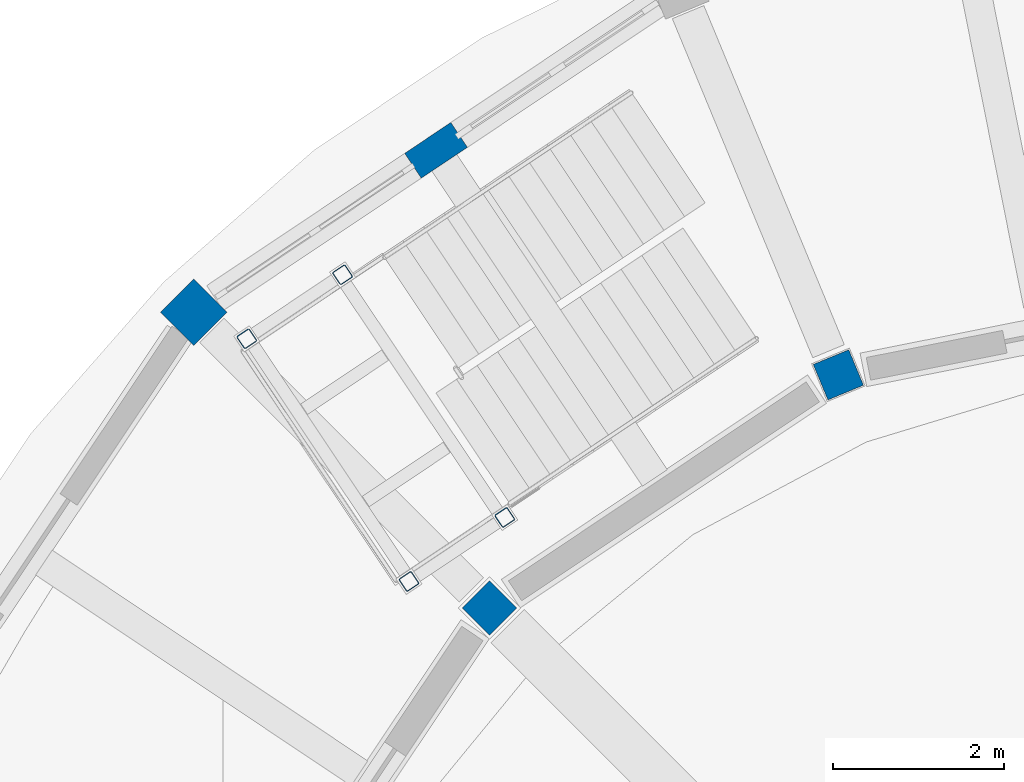
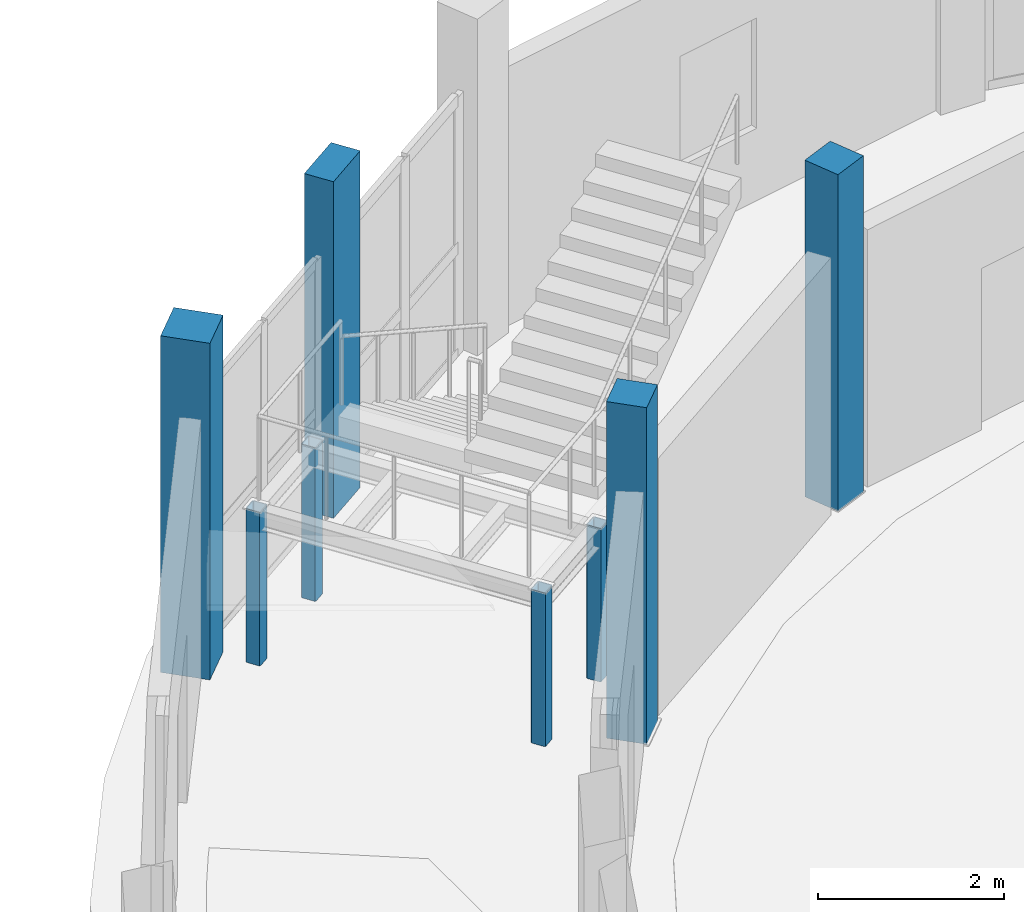
# One storey, part 20 of 92: 8 columns.
"""IFC4 building model written with IfcOpenShell, lengths in metres."""

from ifc_helpers import new_model, si_unit, direction, frame, origin, origin_2d, place, context, subcontext, project, spatial, rectangle, hollow_rectangle, extrude, material, material_profile, profile_set, type_object, element, save


model = new_model("IFC4")

# Units and contexts
model_context = context("Model", 3, precision=1e-05, world=origin(), true_north=direction((0.0, 1.0)))
body_context = subcontext(model_context, "Body", "Model", "MODEL_VIEW")
ifc_project = project(units=[si_unit("LENGTHUNIT", "METRE"), si_unit("AREAUNIT", "SQUARE_METRE"), si_unit("VOLUMEUNIT", "CUBIC_METRE"), si_unit("PLANEANGLEUNIT", "RADIAN"), si_unit("MASSUNIT", "GRAM", prefix="KILO")], contexts=[model_context])

# Site, building, storey
site_placement = place(None, origin())
site = spatial("IfcSite", under=ifc_project, at=site_placement, CompositionType="ELEMENT")
building_placement = place(site_placement, origin())
building = spatial("IfcBuilding", under=site, at=building_placement, Name="Caldaven Crescent School", CompositionType="ELEMENT")
storey_placement = place(building_placement, origin())
storey = spatial("IfcBuildingStorey", under=building, at=storey_placement, Name="L00", CompositionType="ELEMENT", Elevation=0.0)

# Columns
ifc_material_1 = material(Name="Glulam MLE24h (GL28h)", Category="wood")
ifc_material_profile_1 = material_profile(ifc_material_1, rectangle(XDim=0.449951171875, YDim=0.449951171875, at=origin_2d()), Name="MLE 450x450")
ifc_profile_set_1 = profile_set([ifc_material_profile_1], Name="Glulam MLE24h (GL28h)")
column_type_1 = type_object("IfcColumnType", Name="COL-GL45", PredefinedType="COLUMN", material=ifc_profile_set_1)
for number, where, z_axis, x_axis, name in (
    (1, (147.67822265625, 110.140869140625, 0.0), (0.0, 0.0, 1.0), (-0.382683432365, 0.923879532511, 0.0), "COL-V1-L00-GAL-05"),
    (2, (143.590576171875, 107.409423828125, 0.0), (0.0, 0.0, 1.0), (-0.707106781187, 0.707106781187, 0.0), "COL-V1-L00-GAL-06"),
):
    element("IfcColumn", number, at=place(storey_placement, frame(where, z_axis=z_axis, x_axis=x_axis)), inside=storey, type_object=column_type_1, Name=name, PredefinedType="COLUMN", context=body_context, shape_type="SweptSolid", body=[
        extrude(rectangle(XDim=0.449951171875, YDim=0.449951171875, at=origin_2d()), origin(), (0.0, 0.0, 1.0), 4.419921875),
    ])
ifc_material_2 = material(Name="Steel ASTM A572 Grade 50", Category="steel")
ifc_material_profile_2 = material_profile(ifc_material_2, hollow_rectangle(XDim=0.179931640625, YDim=0.179931640625, WallThickness=0.010009765625, InnerFilletRadius=0.010009765625, OuterFilletRadius=0.02001953125, at=origin_2d()), Name="HSS 180x180x10")
ifc_profile_set_2 = profile_set([ifc_material_profile_2], Name="Steel ASTM A572 Grade 50")
column_type_2 = type_object("IfcColumnType", Name="COL-HS18", PredefinedType="COLUMN", material=ifc_profile_set_2)
for number, where, z_axis, x_axis, name in (
    (3, (141.86962890625, 111.3134765625, 0.0), (0.0, 0.0, 1.0), (-0.831469612303, -0.55557023302, 0.0), "COL-STPOST-STV1-L00-A"),
    (4, (143.769775390625, 108.469970703125, 0.0), (0.0, 0.0, 1.0), (-0.831469612303, -0.55557023302, 0.0), "COL-STPOST-STV1-L00-B"),
    (5, (140.7470703125, 110.5634765625, 0.0), (0.0, 0.0, 1.0), (-0.831469612303, -0.55557023302, 0.0), "COL-STPOST-STV1-L00-C"),
    (6, (142.647216796875, 107.719970703125, 0.0), (0.0, 0.0, 1.0), (-0.831469612303, -0.55557023302, 0.0), "COL-STPOST-STV1-L00-D"),
):
    element("IfcColumn", number, at=place(storey_placement, frame(where, z_axis=z_axis, x_axis=x_axis)), inside=storey, type_object=column_type_2, Name=name, PredefinedType="COLUMN", context=body_context, shape_type="SweptSolid", body=[
        extrude(hollow_rectangle(XDim=0.179931640625, YDim=0.179931640625, WallThickness=0.010009765625, InnerFilletRadius=0.010009765625, OuterFilletRadius=0.02001953125, at=origin_2d()), origin(), (0.0, 0.0, 1.0), 2.014892578125),
    ])
ifc_material_3 = material(Name="Concrete C35/45", Category="concrete")
ifc_material_profile_3 = material_profile(ifc_material_3, rectangle(XDim=0.550048828125, YDim=0.550048828125, at=origin_2d()), Name="RC 550x550")
ifc_profile_set_3 = profile_set([ifc_material_profile_3], Name="Concrete C35/45")
column_type_3 = type_object("IfcColumnType", Name="COL-RC55", PredefinedType="COLUMN", material=ifc_profile_set_3)
column_1_placement = place(storey_placement, frame((140.125732421875, 110.874267578125, 0.0), z_axis=(0.0, 0.0, 1.0), x_axis=(-0.707106781187, 0.707106781187, 0.0)))
element("IfcColumn", 7, at=column_1_placement, inside=storey, type_object=column_type_3, Name="COL-V1-L00-OUT-06", PredefinedType="COLUMN", context=body_context, shape_type="SweptSolid", body=[
    extrude(rectangle(XDim=0.550048828125, YDim=0.550048828125, at=origin_2d()), origin(), (0.0, 0.0, 1.0), 4.419921875),
])
ifc_material_4 = material(Name="Concrete C30/37", Category="concrete")
ifc_material_profile_4 = material_profile(ifc_material_4, rectangle(XDim=0.35009765625, YDim=0.64990234375, at=origin_2d()), Name="RC 350x650")
ifc_profile_set_4 = profile_set([ifc_material_profile_4], Name="Concrete C30/37")
column_type_4 = type_object("IfcColumnType", Name="PIL-RC35", PredefinedType="PILASTER", material=ifc_profile_set_4)
column_2_placement = place(storey_placement, frame((142.96435546875, 112.771240234375, 0.0), z_axis=(0.0, 0.0, 1.0), x_axis=(-0.55557023302, 0.831469612303, 0.0)))
element("IfcColumn", 8, at=column_2_placement, inside=storey, type_object=column_type_4, Name="PIL-V1-L00-02", PredefinedType="PILASTER", context=body_context, shape_type="SweptSolid", body=[
    extrude(rectangle(XDim=0.35009765625, YDim=0.64990234375, at=origin_2d()), origin(), (0.0, 0.0, 1.0), 4.419921875),
])

save(model, "model.ifc")
